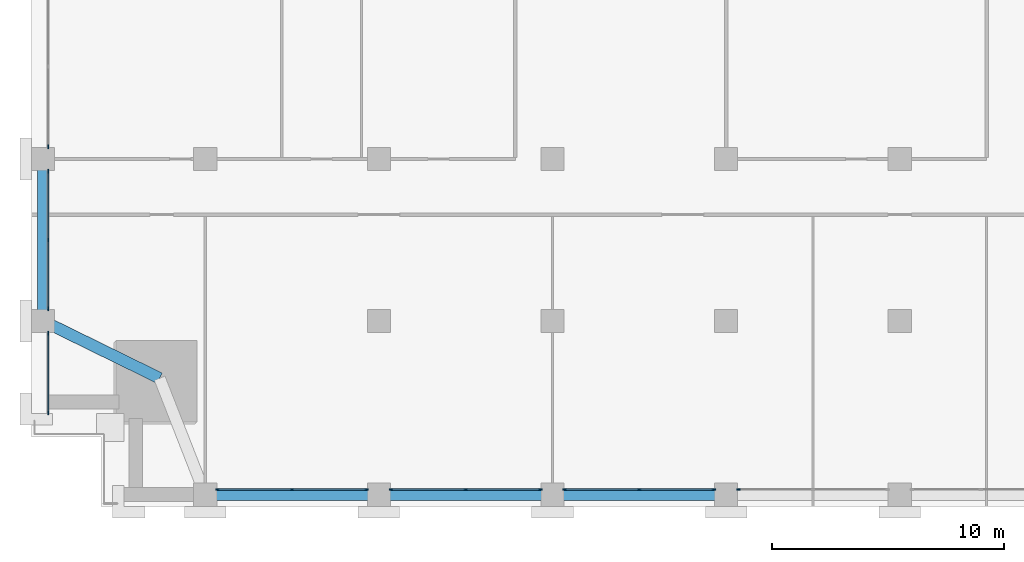
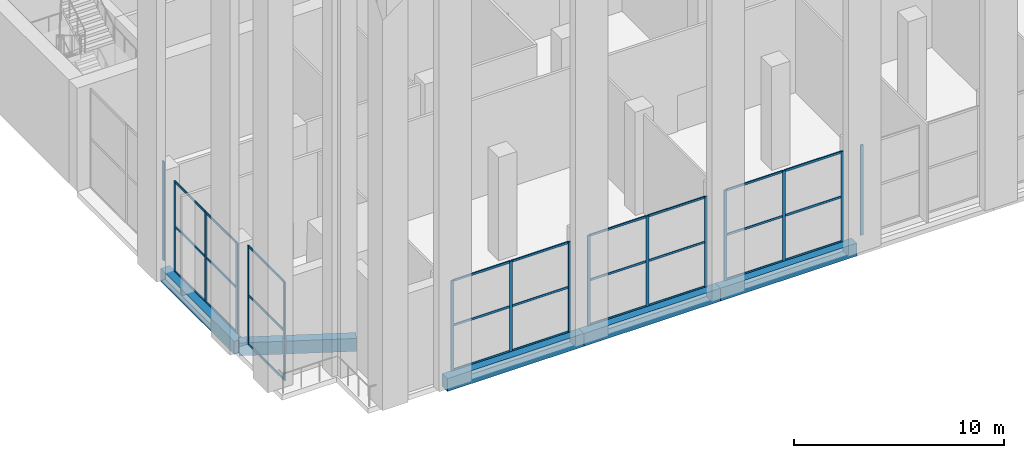
# One storey, part 2 of 23: 43 members, 5 beams, 7 elements without a shape of their own.
"""IFC4 building model written with IfcOpenShell, lengths in metres."""

import ifcopenshell
import ifcopenshell.guid

model = None  # the IFC model being written
_history = None  # IfcOwnerHistory: only IFC2X3 demands one
_inside = {}  # id of a spatial element -> (the spatial element, [elements in it])
_under = {}  # id of a project, library or spatial element -> (it, [spatial elements below it])
_declared = {}  # id of a project -> (the project, [libraries it declares])
_typed = {}  # id of a type object -> (the type object, [elements of that type])
_made_of = {}  # id of a material, layer set ... -> (it, [elements and type objects made of it])


def new_model(schema):
    """Start an empty IFC model of exactly this schema.

    Asked for "IFC4X3", IfcOpenShell would pick the latest addendum, in which some entities
    have other attributes; the version numbers below select the first issue.
    IFC2X3 requires an IfcOwnerHistory on every rooted entity: one is made here for all.
    """
    global model, _history
    if schema == "IFC4X3":
        model = ifcopenshell.file(schema_version=(4, 3, 0, 0))
    else:
        model = ifcopenshell.file(schema=schema)
    _inside.clear()
    _under.clear()
    _declared.clear()
    _typed.clear()
    _made_of.clear()
    _history = None
    if model.schema == "IFC2X3":
        org = make("IfcOrganization", Name="unknown")
        user = make(
            "IfcPersonAndOrganization",
            ThePerson=make("IfcPerson", FamilyName="unknown"),
            TheOrganization=org,
        )
        app = make(
            "IfcApplication",
            ApplicationDeveloper=org,
            Version="unknown",
            ApplicationFullName="unknown",
            ApplicationIdentifier="unknown",
        )
        _history = make(
            "IfcOwnerHistory",
            OwningUser=user,
            OwningApplication=app,
            ChangeAction="ADDED",
            CreationDate=0,
        )
    return model


def make(cls, **values):
    """One entity of the class cls with the attributes given. An attribute that is None is left unset."""
    return model.create_entity(
        cls, **{name: value for name, value in values.items() if value is not None}
    )


def rooted(cls, **values):
    """An entity with a GlobalId (a new one), such as an element, a storey or a relation."""
    return make(cls, GlobalId=ifcopenshell.guid.new(), OwnerHistory=_history, **values)


def si_unit(unit_type, name, prefix=None):
    """IfcSIUnit, for example si_unit("LENGTHUNIT", "METRE", prefix="MILLI")."""
    return make("IfcSIUnit", UnitType=unit_type, Prefix=prefix, Name=name)


def assignment(units):
    """IfcUnitAssignment: the units of a project."""
    return None if units is None else make("IfcUnitAssignment", Units=units)


def point(xyz):
    """IfcCartesianPoint."""
    return None if xyz is None else make("IfcCartesianPoint", Coordinates=xyz)


def direction(xyz):
    """IfcDirection."""
    return None if xyz is None else make("IfcDirection", DirectionRatios=xyz)


def frame(location, z_axis=None, x_axis=None):
    """IfcAxis2Placement3D, a coordinate frame: its origin and axes. An axis left out is left unset."""
    return make(
        "IfcAxis2Placement3D",
        Location=point(location),
        Axis=direction(z_axis),
        RefDirection=direction(x_axis),
    )


def frame_2d(location, x_axis=None):
    """IfcAxis2Placement2D, a coordinate frame in the plane: its origin and x axis."""
    return make(
        "IfcAxis2Placement2D", Location=point(location), RefDirection=direction(x_axis)
    )


def origin():
    """The frame at (0, 0, 0) with its axes left unset."""
    return frame((0.0, 0.0, 0.0))


def origin_2d():
    """The frame at (0, 0) in the plane with its x axis left unset."""
    return frame_2d((0.0, 0.0))


def place(relative_to, where):
    """IfcLocalPlacement: puts the frame where relative to a parent placement (None: the world)."""
    return make(
        "IfcLocalPlacement", PlacementRelTo=relative_to, RelativePlacement=where
    )


def context(
    kind, dimensions, precision=None, world=None, true_north=None, identifier=None
):
    """IfcGeometricRepresentationContext, for example the 3D "Model" context."""
    return make(
        "IfcGeometricRepresentationContext",
        ContextIdentifier=identifier,
        ContextType=kind,
        CoordinateSpaceDimension=dimensions,
        Precision=precision,
        WorldCoordinateSystem=world,
        TrueNorth=true_north,
    )


def subcontext(parent, identifier, kind, view, scale=None):
    """IfcGeometricRepresentationSubContext, for example "Body" below "Model"."""
    return make(
        "IfcGeometricRepresentationSubContext",
        ContextIdentifier=identifier,
        ContextType=kind,
        ParentContext=parent,
        TargetScale=scale,
        TargetView=view,
    )


def project(units=None, contexts=None):
    """IfcProject with its units and contexts."""
    return rooted(
        "IfcProject",
        Name="project",
        RepresentationContexts=contexts,
        UnitsInContext=assignment(units),
    )


def spatial(cls, under=None, at=None, **own):
    """A site, building, storey or space (cls), placed at a placement, below another one or the project."""
    s = rooted(cls, ObjectPlacement=at, **own)
    if under is not None:
        _under.setdefault(under.id(), (under, []))[1].append(s)
    return s


def profile(cls, at=None, kind="AREA", **sizes):
    """A parametric profile (cls). Its sizes go by their IFC names, for example OverallWidth=200.0."""
    return make(cls, ProfileType=kind, Position=at, **sizes)


def rectangle(**sizes):
    """IfcRectangleProfileDef."""
    return profile("IfcRectangleProfileDef", **sizes)


def extrude(swept, where, along, depth):
    """IfcExtrudedAreaSolid: the profile swept, set in the frame where, extruded along a direction by depth."""
    return make(
        "IfcExtrudedAreaSolid",
        SweptArea=swept,
        Position=where,
        ExtrudedDirection=direction(along),
        Depth=depth,
    )


def shape(context_of_items, identifier, shape_type, items):
    """IfcShapeRepresentation: the items that make up one representation, for example the "Body"."""
    return make(
        "IfcShapeRepresentation",
        ContextOfItems=context_of_items,
        RepresentationIdentifier=identifier,
        RepresentationType=shape_type,
        Items=items,
    )


def material(Name=None, Category=None):
    """IfcMaterial."""
    return make("IfcMaterial", Name=Name, Category=Category)


def layer(
    of_material, thickness, ventilated=None, Name=None, Category=None, Priority=None
):
    """IfcMaterialLayer: one layer of a wall or slab, of a material (None: an air gap)."""
    return make(
        "IfcMaterialLayer",
        Material=of_material,
        LayerThickness=thickness,
        IsVentilated=ventilated,
        Name=Name,
        Category=Category,
        Priority=Priority,
    )


def layer_set(layers, Name=None):
    """IfcMaterialLayerSet."""
    return make("IfcMaterialLayerSet", MaterialLayers=layers, LayerSetName=Name)


def material_profile(
    of_material, cross_section, Name=None, Category=None, Priority=None
):
    """IfcMaterialProfile: a cross section and its material."""
    return make(
        "IfcMaterialProfile",
        Name=Name,
        Material=of_material,
        Profile=cross_section,
        Priority=Priority,
        Category=Category,
    )


def profile_set(profiles, Name=None, composite=None):
    """IfcMaterialProfileSet."""
    return make(
        "IfcMaterialProfileSet",
        Name=Name,
        MaterialProfiles=profiles,
        CompositeProfile=composite,
    )


def made_of(thing, what):
    """Note that an element or type object is made of a material, layer set ...; save() writes the relation."""
    if what is not None:
        _made_of.setdefault(what.id(), (what, []))[1].append(thing)
    return thing


def type_object(cls, material=None, **own):
    """A type object (cls), such as IfcWallType, which elements share."""
    return made_of(rooted(cls, **own), material)


def element(
    cls,
    number,
    at=None,
    inside=None,
    cuts=None,
    type_object=None,
    material=None,
    context=None,
    identifier="Body",
    shape_type=None,
    held_by="IfcProductDefinitionShape",
    body=None,
    shapes=None,
    **own,
):
    """One element of the class cls, such as IfcWall. Its Tag is "e" and its number.

    at: its placement. inside: the storey or other place that contains it. cuts: it is an
    opening in that element (IfcRelVoidsElement). A single representation is given by context,
    identifier, shape_type and body (its items); several are given by shapes. held_by: the class
    of the entity that holds the representations. save() writes the other relations.
    """
    e = rooted(cls, Tag="e%d" % number, ObjectPlacement=at, **own)
    if body is not None:
        shapes = [shape(context, identifier, shape_type, body)]
    if shapes is not None:
        e.Representation = make(held_by, Representations=shapes)
    if inside is not None:
        _inside.setdefault(inside.id(), (inside, []))[1].append(e)
    if cuts is not None:
        rooted(
            "IfcRelVoidsElement", RelatingBuildingElement=cuts, RelatedOpeningElement=e
        )
    if type_object is not None:
        _typed.setdefault(type_object.id(), (type_object, []))[1].append(e)
    return made_of(e, material)


def aggregate(whole, parts):
    """IfcRelAggregates: a whole, such as a stair, and the parts it consists of."""
    return rooted("IfcRelAggregates", RelatingObject=whole, RelatedObjects=parts)


def save(model, path):
    """Write the relations noted so far, then the file.

    IfcRelAggregates (storeys below a building ...), IfcRelContainedInSpatialStructure (elements
    in a storey), IfcRelDefinesByType, IfcRelAssociatesMaterial and IfcRelDeclares: one each for
    every whole, place, type object, material and project.
    """
    for whole, parts in _under.values():
        aggregate(whole, parts)
    for where, things in _inside.values():
        rooted(
            "IfcRelContainedInSpatialStructure",
            RelatedElements=things,
            RelatingStructure=where,
        )
    for kind, things in _typed.values():
        rooted("IfcRelDefinesByType", RelatedObjects=things, RelatingType=kind)
    for what, things in _made_of.values():
        rooted("IfcRelAssociatesMaterial", RelatedObjects=things, RelatingMaterial=what)
    for by, libraries in _declared.values():
        rooted("IfcRelDeclares", RelatingContext=by, RelatedDefinitions=libraries)
    model.write(path)


model = new_model("IFC4")

# Units and contexts
model_context = context("Model", 3, precision=1e-05, world=origin(), true_north=direction((0.0, 1.0)))
body_context = subcontext(model_context, "Body", "Model", "MODEL_VIEW")
ifc_project = project(units=[si_unit("LENGTHUNIT", "METRE"), si_unit("AREAUNIT", "SQUARE_METRE"), si_unit("VOLUMEUNIT", "CUBIC_METRE"), si_unit("PLANEANGLEUNIT", "RADIAN"), si_unit("MASSUNIT", "GRAM", prefix="KILO")], contexts=[model_context])

# Site, building, storey
site_placement = place(None, origin())
site = spatial("IfcSite", under=ifc_project, at=site_placement, CompositionType="ELEMENT")
building_placement = place(site_placement, origin())
building = spatial("IfcBuilding", under=site, at=building_placement, Name="Tamorin Gate", CompositionType="ELEMENT")
storey_placement = place(building_placement, frame((0.0, 0.0, 124.199951171875)))
storey = spatial("IfcBuildingStorey", under=building, at=storey_placement, Name="L30", CompositionType="ELEMENT", Elevation=124.199951171875)

# Curtain wall, members
ifc_material_1 = material(Name="Aluminium mullions and transoms with clear glass", Category="aluminium")
ifc_layer = layer(ifc_material_1, 0.159912109375)
ifc_layer_set = layer_set([ifc_layer], Name="Curtain wall system CW1")
curtain_wall_type = type_object("IfcCurtainWallType", Name="Curtain wall system CW1", PredefinedType="NOTDEFINED", material=ifc_layer_set)
curtain_wall_1_placement = place(storey_placement, origin())
curtain_wall_1 = element("IfcCurtainWall", 1, at=curtain_wall_1_placement, inside=storey, type_object=curtain_wall_type, Name="Curtain wall", PredefinedType="NOTDEFINED")
ifc_material_2 = material(Name="Aluminium", Category="aluminium")
ifc_material_profile_1 = material_profile(ifc_material_2, rectangle(XDim=0.06005859375, YDim=0.159912109375, at=origin_2d()), Name="RECT 60x160")
ifc_profile_set_1 = profile_set([ifc_material_profile_1], Name="Aluminium")
member_type_1 = type_object("IfcMemberType", Name="Aluminium mullion 60x160", PredefinedType="MULLION", material=ifc_profile_set_1)
member_1_placement = place(storey_placement, frame((38.030029296875, 38.219970703125, 0.0), z_axis=(0.0, 0.0, 1.0), x_axis=(0.0, 1.0, 0.0)))
member_1 = element("IfcMember", 2, at=member_1_placement, type_object=member_type_1, Name="CW1 mullion 1", PredefinedType="MULLION", context=body_context, shape_type="SweptSolid", body=[
    extrude(rectangle(XDim=0.06005859375, YDim=0.159912109375, at=origin_2d()), origin(), (0.0, 0.0, 1.0), 5.25),
])
member_2_placement = place(storey_placement, frame((41.25, 38.219970703125, 0.0), z_axis=(0.0, 0.0, 1.0), x_axis=(0.0, 1.0, 0.0)))
member_2 = element("IfcMember", 3, at=member_2_placement, type_object=member_type_1, Name="CW1 mullion 2", PredefinedType="MULLION", context=body_context, shape_type="SweptSolid", body=[
    extrude(rectangle(XDim=0.06005859375, YDim=0.159912109375, at=origin_2d()), origin(), (0.0, 0.0, 1.0), 5.25),
])
member_3_placement = place(storey_placement, frame((44.469970703125, 38.219970703125, 0.0), z_axis=(0.0, 0.0, 1.0), x_axis=(0.0, 1.0, 0.0)))
member_3 = element("IfcMember", 4, at=member_3_placement, type_object=member_type_1, Name="CW1 mullion 3", PredefinedType="MULLION", context=body_context, shape_type="SweptSolid", body=[
    extrude(rectangle(XDim=0.06005859375, YDim=0.159912109375, at=origin_2d()), origin(), (0.0, 0.0, 1.0), 5.25),
])

curtain_wall_2_placement = place(storey_placement, origin())
curtain_wall_2 = element("IfcCurtainWall", 5, at=curtain_wall_2_placement, inside=storey, type_object=curtain_wall_type, Name="Curtain wall", PredefinedType="NOTDEFINED")
member_4_placement = place(storey_placement, frame((45.530029296875, 38.219970703125, 0.0), z_axis=(0.0, 0.0, 1.0), x_axis=(0.0, 1.0, 0.0)))
member_4 = element("IfcMember", 6, at=member_4_placement, type_object=member_type_1, Name="CW1 mullion 1", PredefinedType="MULLION", context=body_context, shape_type="SweptSolid", body=[
    extrude(rectangle(XDim=0.06005859375, YDim=0.159912109375, at=origin_2d()), origin(), (0.0, 0.0, 1.0), 5.25),
])
member_5_placement = place(storey_placement, frame((48.75, 38.219970703125, 0.0), z_axis=(0.0, 0.0, 1.0), x_axis=(0.0, 1.0, 0.0)))
member_5 = element("IfcMember", 7, at=member_5_placement, type_object=member_type_1, Name="CW1 mullion 2", PredefinedType="MULLION", context=body_context, shape_type="SweptSolid", body=[
    extrude(rectangle(XDim=0.06005859375, YDim=0.159912109375, at=origin_2d()), origin(), (0.0, 0.0, 1.0), 5.25),
])
member_6_placement = place(storey_placement, frame((51.969970703125, 38.219970703125, 0.0), z_axis=(0.0, 0.0, 1.0), x_axis=(0.0, 1.0, 0.0)))
member_6 = element("IfcMember", 8, at=member_6_placement, type_object=member_type_1, Name="CW1 mullion 3", PredefinedType="MULLION", context=body_context, shape_type="SweptSolid", body=[
    extrude(rectangle(XDim=0.06005859375, YDim=0.159912109375, at=origin_2d()), origin(), (0.0, 0.0, 1.0), 5.25),
])

curtain_wall_3_placement = place(storey_placement, origin())
curtain_wall_3 = element("IfcCurtainWall", 9, at=curtain_wall_3_placement, inside=storey, type_object=curtain_wall_type, Name="Curtain wall", PredefinedType="NOTDEFINED")
member_7_placement = place(storey_placement, frame((53.030029296875, 38.219970703125, 0.0), z_axis=(0.0, 0.0, 1.0), x_axis=(0.0, 1.0, 0.0)))
member_7 = element("IfcMember", 10, at=member_7_placement, type_object=member_type_1, Name="CW1 mullion 1", PredefinedType="MULLION", context=body_context, shape_type="SweptSolid", body=[
    extrude(rectangle(XDim=0.06005859375, YDim=0.159912109375, at=origin_2d()), origin(), (0.0, 0.0, 1.0), 5.25),
])
member_8_placement = place(storey_placement, frame((56.25, 38.219970703125, 0.0), z_axis=(0.0, 0.0, 1.0), x_axis=(0.0, 1.0, 0.0)))
member_8 = element("IfcMember", 11, at=member_8_placement, type_object=member_type_1, Name="CW1 mullion 2", PredefinedType="MULLION", context=body_context, shape_type="SweptSolid", body=[
    extrude(rectangle(XDim=0.06005859375, YDim=0.159912109375, at=origin_2d()), origin(), (0.0, 0.0, 1.0), 5.25),
])
member_9_placement = place(storey_placement, frame((59.469970703125, 38.219970703125, 0.0), z_axis=(0.0, 0.0, 1.0), x_axis=(0.0, 1.0, 0.0)))
member_9 = element("IfcMember", 12, at=member_9_placement, type_object=member_type_1, Name="CW1 mullion 3", PredefinedType="MULLION", context=body_context, shape_type="SweptSolid", body=[
    extrude(rectangle(XDim=0.06005859375, YDim=0.159912109375, at=origin_2d()), origin(), (0.0, 0.0, 1.0), 5.25),
])

# Curtain wall, member
curtain_wall_4_placement = place(storey_placement, origin())
curtain_wall_4 = element("IfcCurtainWall", 13, at=curtain_wall_4_placement, inside=storey, type_object=curtain_wall_type, Name="Curtain wall", PredefinedType="NOTDEFINED")
member_10_placement = place(storey_placement, frame((60.530029296875, 38.219970703125, 0.0), z_axis=(0.0, 0.0, 1.0), x_axis=(0.0, 1.0, 0.0)))
member_10 = element("IfcMember", 14, at=member_10_placement, type_object=member_type_1, Name="CW1 mullion 1", PredefinedType="MULLION", context=body_context, shape_type="SweptSolid", body=[
    extrude(rectangle(XDim=0.06005859375, YDim=0.159912109375, at=origin_2d()), origin(), (0.0, 0.0, 1.0), 5.25),
])
aggregate(curtain_wall_4, [member_10])

curtain_wall_5_placement = place(storey_placement, origin())
curtain_wall_5 = element("IfcCurtainWall", 15, at=curtain_wall_5_placement, inside=storey, type_object=curtain_wall_type, Name="Curtain wall", PredefinedType="NOTDEFINED")
member_11_placement = place(storey_placement, frame((30.719970703125, 53.030029296875, 0.0), z_axis=(0.0, 0.0, 1.0), x_axis=(1.0, 0.0, 0.0)))
member_11 = element("IfcMember", 16, at=member_11_placement, type_object=member_type_1, Name="CW1 mullion 3", PredefinedType="MULLION", context=body_context, shape_type="SweptSolid", body=[
    extrude(rectangle(XDim=0.06005859375, YDim=0.159912109375, at=origin_2d()), origin(), (0.0, 0.0, 1.0), 5.75),
])
aggregate(curtain_wall_5, [member_11])

# Curtain wall, members
curtain_wall_6_placement = place(storey_placement, origin())
curtain_wall_6 = element("IfcCurtainWall", 17, at=curtain_wall_6_placement, inside=storey, type_object=curtain_wall_type, Name="Curtain wall", PredefinedType="NOTDEFINED")
member_12_placement = place(storey_placement, frame((30.719970703125, 51.969970703125, 0.0), z_axis=(0.0, 0.0, 1.0), x_axis=(1.0, 0.0, 0.0)))
member_12 = element("IfcMember", 18, at=member_12_placement, type_object=member_type_1, Name="CW1 mullion 1", PredefinedType="MULLION", context=body_context, shape_type="SweptSolid", body=[
    extrude(rectangle(XDim=0.06005859375, YDim=0.159912109375, at=origin_2d()), origin(), (0.0, 0.0, 1.0), 5.25),
])
member_13_placement = place(storey_placement, frame((30.719970703125, 49.0, 0.0), z_axis=(0.0, 0.0, 1.0), x_axis=(1.0, 0.0, 0.0)))
member_13 = element("IfcMember", 19, at=member_13_placement, type_object=member_type_1, Name="CW1 mullion 2", PredefinedType="MULLION", context=body_context, shape_type="SweptSolid", body=[
    extrude(rectangle(XDim=0.06005859375, YDim=0.159912109375, at=origin_2d()), origin(), (0.0, 0.0, 1.0), 5.25),
])
member_14_placement = place(storey_placement, frame((30.719970703125, 46.030029296875, 0.0), z_axis=(0.0, 0.0, 1.0), x_axis=(1.0, 0.0, 0.0)))
member_14 = element("IfcMember", 20, at=member_14_placement, type_object=member_type_1, Name="CW1 mullion 3", PredefinedType="MULLION", context=body_context, shape_type="SweptSolid", body=[
    extrude(rectangle(XDim=0.06005859375, YDim=0.159912109375, at=origin_2d()), origin(), (0.0, 0.0, 1.0), 5.25),
])

curtain_wall_7_placement = place(storey_placement, origin())
curtain_wall_7 = element("IfcCurtainWall", 21, at=curtain_wall_7_placement, inside=storey, type_object=curtain_wall_type, Name="Curtain wall", PredefinedType="NOTDEFINED")
member_15_placement = place(storey_placement, frame((30.719970703125, 44.969970703125, 0.0), z_axis=(0.0, 0.0, 1.0), x_axis=(1.0, 0.0, 0.0)))
member_15 = element("IfcMember", 22, at=member_15_placement, type_object=member_type_1, Name="CW1 mullion 1", PredefinedType="MULLION", context=body_context, shape_type="SweptSolid", body=[
    extrude(rectangle(XDim=0.06005859375, YDim=0.159912109375, at=origin_2d()), origin(), (0.0, 0.0, 1.0), 5.75),
])
member_16_placement = place(storey_placement, frame((30.719970703125, 41.530029296875, 0.0), z_axis=(0.0, 0.0, 1.0), x_axis=(1.0, 0.0, 0.0)))
member_16 = element("IfcMember", 23, at=member_16_placement, type_object=member_type_1, Name="CW1 mullion 2", PredefinedType="MULLION", context=body_context, shape_type="SweptSolid", body=[
    extrude(rectangle(XDim=0.06005859375, YDim=0.159912109375, at=origin_2d()), origin(), (0.0, 0.0, 1.0), 5.75),
])

# Member
ifc_material_profile_2 = material_profile(ifc_material_2, rectangle(XDim=0.06005859375, YDim=0.1201171875, at=origin_2d()), Name="RECT 60x120")
ifc_profile_set_2 = profile_set([ifc_material_profile_2], Name="Aluminium")
member_type_2 = type_object("IfcMemberType", Name="Aluminium transom 60x120", PredefinedType="USERDEFINED", material=ifc_profile_set_2)
member_17_placement = place(storey_placement, frame((38.06005859375, 38.219970703125, 0.030029296875), z_axis=(1.0, 0.0, 0.0), x_axis=(0.0, 1.0, 0.0)))
member_17 = element("IfcMember", 24, at=member_17_placement, type_object=member_type_2, Name="CW1 transom 1.1", ObjectType="TRANSOM", PredefinedType="USERDEFINED", context=body_context, shape_type="SweptSolid", body=[
    extrude(rectangle(XDim=0.06005859375, YDim=0.1201171875, at=origin_2d()), origin(), (0.0, 0.0, 1.0), 3.159912109375),
])

member_18_placement = place(storey_placement, frame((38.06005859375, 38.219970703125, 2.625), z_axis=(1.0, 0.0, 0.0), x_axis=(0.0, 1.0, 0.0)))
member_18 = element("IfcMember", 25, at=member_18_placement, type_object=member_type_2, Name="CW1 transom 1.2", ObjectType="TRANSOM", PredefinedType="USERDEFINED", context=body_context, shape_type="SweptSolid", body=[
    extrude(rectangle(XDim=0.06005859375, YDim=0.1201171875, at=origin_2d()), origin(), (0.0, 0.0, 1.0), 3.159912109375),
])

member_19_placement = place(storey_placement, frame((38.06005859375, 38.219970703125, 5.219970703125), z_axis=(1.0, 0.0, 0.0), x_axis=(0.0, 1.0, 0.0)))
member_19 = element("IfcMember", 26, at=member_19_placement, type_object=member_type_2, Name="CW1 transom 1.3", ObjectType="TRANSOM", PredefinedType="USERDEFINED", context=body_context, shape_type="SweptSolid", body=[
    extrude(rectangle(XDim=0.06005859375, YDim=0.1201171875, at=origin_2d()), origin(), (0.0, 0.0, 1.0), 3.159912109375),
])

member_20_placement = place(storey_placement, frame((41.280029296875, 38.219970703125, 0.030029296875), z_axis=(1.0, 0.0, 0.0), x_axis=(0.0, 1.0, 0.0)))
member_20 = element("IfcMember", 27, at=member_20_placement, type_object=member_type_2, Name="CW1 transom 2.1", ObjectType="TRANSOM", PredefinedType="USERDEFINED", context=body_context, shape_type="SweptSolid", body=[
    extrude(rectangle(XDim=0.06005859375, YDim=0.1201171875, at=origin_2d()), origin(), (0.0, 0.0, 1.0), 3.159912109375),
])

member_21_placement = place(storey_placement, frame((41.280029296875, 38.219970703125, 2.625), z_axis=(1.0, 0.0, 0.0), x_axis=(0.0, 1.0, 0.0)))
member_21 = element("IfcMember", 28, at=member_21_placement, type_object=member_type_2, Name="CW1 transom 2.2", ObjectType="TRANSOM", PredefinedType="USERDEFINED", context=body_context, shape_type="SweptSolid", body=[
    extrude(rectangle(XDim=0.06005859375, YDim=0.1201171875, at=origin_2d()), origin(), (0.0, 0.0, 1.0), 3.159912109375),
])

member_22_placement = place(storey_placement, frame((41.280029296875, 38.219970703125, 5.219970703125), z_axis=(1.0, 0.0, 0.0), x_axis=(0.0, 1.0, 0.0)))
member_22 = element("IfcMember", 29, at=member_22_placement, type_object=member_type_2, Name="CW1 transom 2.3", ObjectType="TRANSOM", PredefinedType="USERDEFINED", context=body_context, shape_type="SweptSolid", body=[
    extrude(rectangle(XDim=0.06005859375, YDim=0.1201171875, at=origin_2d()), origin(), (0.0, 0.0, 1.0), 3.159912109375),
])

aggregate(curtain_wall_1, [member_1, member_2, member_3, member_17, member_18, member_19, member_20, member_21, member_22])

member_23_placement = place(storey_placement, frame((45.56005859375, 38.219970703125, 0.030029296875), z_axis=(1.0, 0.0, 0.0), x_axis=(0.0, 1.0, 0.0)))
member_23 = element("IfcMember", 30, at=member_23_placement, type_object=member_type_2, Name="CW1 transom 1.1", ObjectType="TRANSOM", PredefinedType="USERDEFINED", context=body_context, shape_type="SweptSolid", body=[
    extrude(rectangle(XDim=0.06005859375, YDim=0.1201171875, at=origin_2d()), origin(), (0.0, 0.0, 1.0), 3.159912109375),
])

member_24_placement = place(storey_placement, frame((45.56005859375, 38.219970703125, 2.625), z_axis=(1.0, 0.0, 0.0), x_axis=(0.0, 1.0, 0.0)))
member_24 = element("IfcMember", 31, at=member_24_placement, type_object=member_type_2, Name="CW1 transom 1.2", ObjectType="TRANSOM", PredefinedType="USERDEFINED", context=body_context, shape_type="SweptSolid", body=[
    extrude(rectangle(XDim=0.06005859375, YDim=0.1201171875, at=origin_2d()), origin(), (0.0, 0.0, 1.0), 3.159912109375),
])

member_25_placement = place(storey_placement, frame((45.56005859375, 38.219970703125, 5.219970703125), z_axis=(1.0, 0.0, 0.0), x_axis=(0.0, 1.0, 0.0)))
member_25 = element("IfcMember", 32, at=member_25_placement, type_object=member_type_2, Name="CW1 transom 1.3", ObjectType="TRANSOM", PredefinedType="USERDEFINED", context=body_context, shape_type="SweptSolid", body=[
    extrude(rectangle(XDim=0.06005859375, YDim=0.1201171875, at=origin_2d()), origin(), (0.0, 0.0, 1.0), 3.159912109375),
])

member_26_placement = place(storey_placement, frame((48.780029296875, 38.219970703125, 0.030029296875), z_axis=(1.0, 0.0, 0.0), x_axis=(0.0, 1.0, 0.0)))
member_26 = element("IfcMember", 33, at=member_26_placement, type_object=member_type_2, Name="CW1 transom 2.1", ObjectType="TRANSOM", PredefinedType="USERDEFINED", context=body_context, shape_type="SweptSolid", body=[
    extrude(rectangle(XDim=0.06005859375, YDim=0.1201171875, at=origin_2d()), origin(), (0.0, 0.0, 1.0), 3.159912109375),
])

member_27_placement = place(storey_placement, frame((48.780029296875, 38.219970703125, 2.625), z_axis=(1.0, 0.0, 0.0), x_axis=(0.0, 1.0, 0.0)))
member_27 = element("IfcMember", 34, at=member_27_placement, type_object=member_type_2, Name="CW1 transom 2.2", ObjectType="TRANSOM", PredefinedType="USERDEFINED", context=body_context, shape_type="SweptSolid", body=[
    extrude(rectangle(XDim=0.06005859375, YDim=0.1201171875, at=origin_2d()), origin(), (0.0, 0.0, 1.0), 3.159912109375),
])

member_28_placement = place(storey_placement, frame((48.780029296875, 38.219970703125, 5.219970703125), z_axis=(1.0, 0.0, 0.0), x_axis=(0.0, 1.0, 0.0)))
member_28 = element("IfcMember", 35, at=member_28_placement, type_object=member_type_2, Name="CW1 transom 2.3", ObjectType="TRANSOM", PredefinedType="USERDEFINED", context=body_context, shape_type="SweptSolid", body=[
    extrude(rectangle(XDim=0.06005859375, YDim=0.1201171875, at=origin_2d()), origin(), (0.0, 0.0, 1.0), 3.159912109375),
])

aggregate(curtain_wall_2, [member_4, member_5, member_6, member_23, member_24, member_25, member_26, member_27, member_28])

member_29_placement = place(storey_placement, frame((53.06005859375, 38.219970703125, 0.030029296875), z_axis=(1.0, 0.0, 0.0), x_axis=(0.0, 1.0, 0.0)))
member_29 = element("IfcMember", 36, at=member_29_placement, type_object=member_type_2, Name="CW1 transom 1.1", ObjectType="TRANSOM", PredefinedType="USERDEFINED", context=body_context, shape_type="SweptSolid", body=[
    extrude(rectangle(XDim=0.06005859375, YDim=0.1201171875, at=origin_2d()), origin(), (0.0, 0.0, 1.0), 3.159912109375),
])

member_30_placement = place(storey_placement, frame((53.06005859375, 38.219970703125, 2.625), z_axis=(1.0, 0.0, 0.0), x_axis=(0.0, 1.0, 0.0)))
member_30 = element("IfcMember", 37, at=member_30_placement, type_object=member_type_2, Name="CW1 transom 1.2", ObjectType="TRANSOM", PredefinedType="USERDEFINED", context=body_context, shape_type="SweptSolid", body=[
    extrude(rectangle(XDim=0.06005859375, YDim=0.1201171875, at=origin_2d()), origin(), (0.0, 0.0, 1.0), 3.159912109375),
])

member_31_placement = place(storey_placement, frame((53.06005859375, 38.219970703125, 5.219970703125), z_axis=(1.0, 0.0, 0.0), x_axis=(0.0, 1.0, 0.0)))
member_31 = element("IfcMember", 38, at=member_31_placement, type_object=member_type_2, Name="CW1 transom 1.3", ObjectType="TRANSOM", PredefinedType="USERDEFINED", context=body_context, shape_type="SweptSolid", body=[
    extrude(rectangle(XDim=0.06005859375, YDim=0.1201171875, at=origin_2d()), origin(), (0.0, 0.0, 1.0), 3.159912109375),
])

member_32_placement = place(storey_placement, frame((56.280029296875, 38.219970703125, 0.030029296875), z_axis=(1.0, 0.0, 0.0), x_axis=(0.0, 1.0, 0.0)))
member_32 = element("IfcMember", 39, at=member_32_placement, type_object=member_type_2, Name="CW1 transom 2.1", ObjectType="TRANSOM", PredefinedType="USERDEFINED", context=body_context, shape_type="SweptSolid", body=[
    extrude(rectangle(XDim=0.06005859375, YDim=0.1201171875, at=origin_2d()), origin(), (0.0, 0.0, 1.0), 3.159912109375),
])

member_33_placement = place(storey_placement, frame((56.280029296875, 38.219970703125, 2.625), z_axis=(1.0, 0.0, 0.0), x_axis=(0.0, 1.0, 0.0)))
member_33 = element("IfcMember", 40, at=member_33_placement, type_object=member_type_2, Name="CW1 transom 2.2", ObjectType="TRANSOM", PredefinedType="USERDEFINED", context=body_context, shape_type="SweptSolid", body=[
    extrude(rectangle(XDim=0.06005859375, YDim=0.1201171875, at=origin_2d()), origin(), (0.0, 0.0, 1.0), 3.159912109375),
])

member_34_placement = place(storey_placement, frame((56.280029296875, 38.219970703125, 5.219970703125), z_axis=(1.0, 0.0, 0.0), x_axis=(0.0, 1.0, 0.0)))
member_34 = element("IfcMember", 41, at=member_34_placement, type_object=member_type_2, Name="CW1 transom 2.3", ObjectType="TRANSOM", PredefinedType="USERDEFINED", context=body_context, shape_type="SweptSolid", body=[
    extrude(rectangle(XDim=0.06005859375, YDim=0.1201171875, at=origin_2d()), origin(), (0.0, 0.0, 1.0), 3.159912109375),
])

aggregate(curtain_wall_3, [member_7, member_8, member_9, member_29, member_30, member_31, member_32, member_33, member_34])

member_35_placement = place(storey_placement, frame((30.719970703125, 51.93994140625, 0.030029296875), z_axis=(0.0, -1.0, 0.0), x_axis=(1.0, 0.0, 0.0)))
member_35 = element("IfcMember", 42, at=member_35_placement, type_object=member_type_2, Name="CW1 transom 1.1", ObjectType="TRANSOM", PredefinedType="USERDEFINED", context=body_context, shape_type="SweptSolid", body=[
    extrude(rectangle(XDim=0.06005859375, YDim=0.1201171875, at=origin_2d()), origin(), (0.0, 0.0, 1.0), 2.909912109375),
])

member_36_placement = place(storey_placement, frame((30.719970703125, 51.93994140625, 2.625), z_axis=(0.0, -1.0, 0.0), x_axis=(1.0, 0.0, 0.0)))
member_36 = element("IfcMember", 43, at=member_36_placement, type_object=member_type_2, Name="CW1 transom 1.2", ObjectType="TRANSOM", PredefinedType="USERDEFINED", context=body_context, shape_type="SweptSolid", body=[
    extrude(rectangle(XDim=0.06005859375, YDim=0.1201171875, at=origin_2d()), origin(), (0.0, 0.0, 1.0), 2.909912109375),
])

member_37_placement = place(storey_placement, frame((30.719970703125, 51.93994140625, 5.219970703125), z_axis=(0.0, -1.0, 0.0), x_axis=(1.0, 0.0, 0.0)))
member_37 = element("IfcMember", 44, at=member_37_placement, type_object=member_type_2, Name="CW1 transom 1.3", ObjectType="TRANSOM", PredefinedType="USERDEFINED", context=body_context, shape_type="SweptSolid", body=[
    extrude(rectangle(XDim=0.06005859375, YDim=0.1201171875, at=origin_2d()), origin(), (0.0, 0.0, 1.0), 2.909912109375),
])

member_38_placement = place(storey_placement, frame((30.719970703125, 48.969970703125, 0.030029296875), z_axis=(0.0, -1.0, 0.0), x_axis=(1.0, 0.0, 0.0)))
member_38 = element("IfcMember", 45, at=member_38_placement, type_object=member_type_2, Name="CW1 transom 2.1", ObjectType="TRANSOM", PredefinedType="USERDEFINED", context=body_context, shape_type="SweptSolid", body=[
    extrude(rectangle(XDim=0.06005859375, YDim=0.1201171875, at=origin_2d()), origin(), (0.0, 0.0, 1.0), 2.909912109375),
])

member_39_placement = place(storey_placement, frame((30.719970703125, 48.969970703125, 2.625), z_axis=(0.0, -1.0, 0.0), x_axis=(1.0, 0.0, 0.0)))
member_39 = element("IfcMember", 46, at=member_39_placement, type_object=member_type_2, Name="CW1 transom 2.2", ObjectType="TRANSOM", PredefinedType="USERDEFINED", context=body_context, shape_type="SweptSolid", body=[
    extrude(rectangle(XDim=0.06005859375, YDim=0.1201171875, at=origin_2d()), origin(), (0.0, 0.0, 1.0), 2.909912109375),
])

member_40_placement = place(storey_placement, frame((30.719970703125, 48.969970703125, 5.219970703125), z_axis=(0.0, -1.0, 0.0), x_axis=(1.0, 0.0, 0.0)))
member_40 = element("IfcMember", 47, at=member_40_placement, type_object=member_type_2, Name="CW1 transom 2.3", ObjectType="TRANSOM", PredefinedType="USERDEFINED", context=body_context, shape_type="SweptSolid", body=[
    extrude(rectangle(XDim=0.06005859375, YDim=0.1201171875, at=origin_2d()), origin(), (0.0, 0.0, 1.0), 2.909912109375),
])

aggregate(curtain_wall_6, [member_12, member_13, member_14, member_35, member_36, member_37, member_38, member_39, member_40])

member_41_placement = place(storey_placement, frame((30.719970703125, 44.93994140625, 0.030029296875), z_axis=(0.0, -1.0, 0.0), x_axis=(1.0, 0.0, 0.0)))
member_41 = element("IfcMember", 48, at=member_41_placement, type_object=member_type_2, Name="CW1 transom 1.1", ObjectType="TRANSOM", PredefinedType="USERDEFINED", context=body_context, shape_type="SweptSolid", body=[
    extrude(rectangle(XDim=0.06005859375, YDim=0.1201171875, at=origin_2d()), origin(), (0.0, 0.0, 1.0), 3.3798828125),
])

member_42_placement = place(storey_placement, frame((30.719970703125, 44.93994140625, 2.875), z_axis=(0.0, -1.0, 0.0), x_axis=(1.0, 0.0, 0.0)))
member_42 = element("IfcMember", 49, at=member_42_placement, type_object=member_type_2, Name="CW1 transom 1.2", ObjectType="TRANSOM", PredefinedType="USERDEFINED", context=body_context, shape_type="SweptSolid", body=[
    extrude(rectangle(XDim=0.06005859375, YDim=0.1201171875, at=origin_2d()), origin(), (0.0, 0.0, 1.0), 3.3798828125),
])

member_43_placement = place(storey_placement, frame((30.719970703125, 44.93994140625, 5.719970703125), z_axis=(0.0, -1.0, 0.0), x_axis=(1.0, 0.0, 0.0)))
member_43 = element("IfcMember", 50, at=member_43_placement, type_object=member_type_2, Name="CW1 transom 1.3", ObjectType="TRANSOM", PredefinedType="USERDEFINED", context=body_context, shape_type="SweptSolid", body=[
    extrude(rectangle(XDim=0.06005859375, YDim=0.1201171875, at=origin_2d()), origin(), (0.0, 0.0, 1.0), 3.3798828125),
])

aggregate(curtain_wall_7, [member_15, member_16, member_41, member_42, member_43])

# Beams
ifc_material_3 = material(Name="Concrete C50/60", Category="concrete")
ifc_material_profile_3 = material_profile(ifc_material_3, rectangle(XDim=0.5, YDim=0.75, at=origin_2d()), Name="RC 500x750")
ifc_profile_set_3 = profile_set([ifc_material_profile_3], Name="Concrete C50/60")
beam_type = type_object("IfcBeamType", Name="RC spandrel 500x750 C50/60", PredefinedType="BEAM", material=ifc_profile_set_3)
for number, where, z_axis, x_axis, name in (
    (51, (37.5, 38.0, -0.375), (1.0, 0.0, 0.0), (0.0, 1.0, 0.0), "Spandrel beam L30"),
    (52, (45.0, 38.0, -0.375), (1.0, 0.0, 0.0), (0.0, 1.0, 0.0), "Spandrel beam L30"),
    (53, (52.5, 38.0, -0.375), (1.0, 0.0, 0.0), (0.0, 1.0, 0.0), "Spandrel beam L30"),
):
    element("IfcBeam", number, at=place(storey_placement, frame(where, z_axis=z_axis, x_axis=x_axis)), inside=storey, type_object=beam_type, Name=name, PredefinedType="BEAM", context=body_context, shape_type="SweptSolid", body=[
        extrude(rectangle(XDim=0.5, YDim=0.75, at=origin_2d()), origin(), (0.0, 0.0, 1.0), 7.5),
    ])
beam_1_placement = place(storey_placement, frame((30.5, 52.5, -0.375), z_axis=(0.0, -1.0, 0.0), x_axis=(1.0, 0.0, 0.0)))
element("IfcBeam", 54, at=beam_1_placement, inside=storey, type_object=beam_type, Name="Spandrel beam L30", PredefinedType="BEAM", context=body_context, shape_type="SweptSolid", body=[
    extrude(rectangle(XDim=0.5, YDim=0.75, at=origin_2d()), origin(), (0.0, 0.0, 1.0), 7.0),
])
beam_2_placement = place(storey_placement, frame((35.53125, 43.03125, -0.375), z_axis=(-0.897747805591, 0.440509792805, 0.0), x_axis=(-0.440509792805, -0.897747805591, 0.0)))
element("IfcBeam", 55, at=beam_2_placement, inside=storey, type_object=beam_type, Name="Corner tie beam L30", PredefinedType="BEAM", context=body_context, shape_type="SweptSolid", body=[
    extrude(rectangle(XDim=0.5, YDim=0.75, at=origin_2d()), origin(), (0.0, 0.0, 1.0), 5.604248046875),
])

save(model, "model.ifc")
